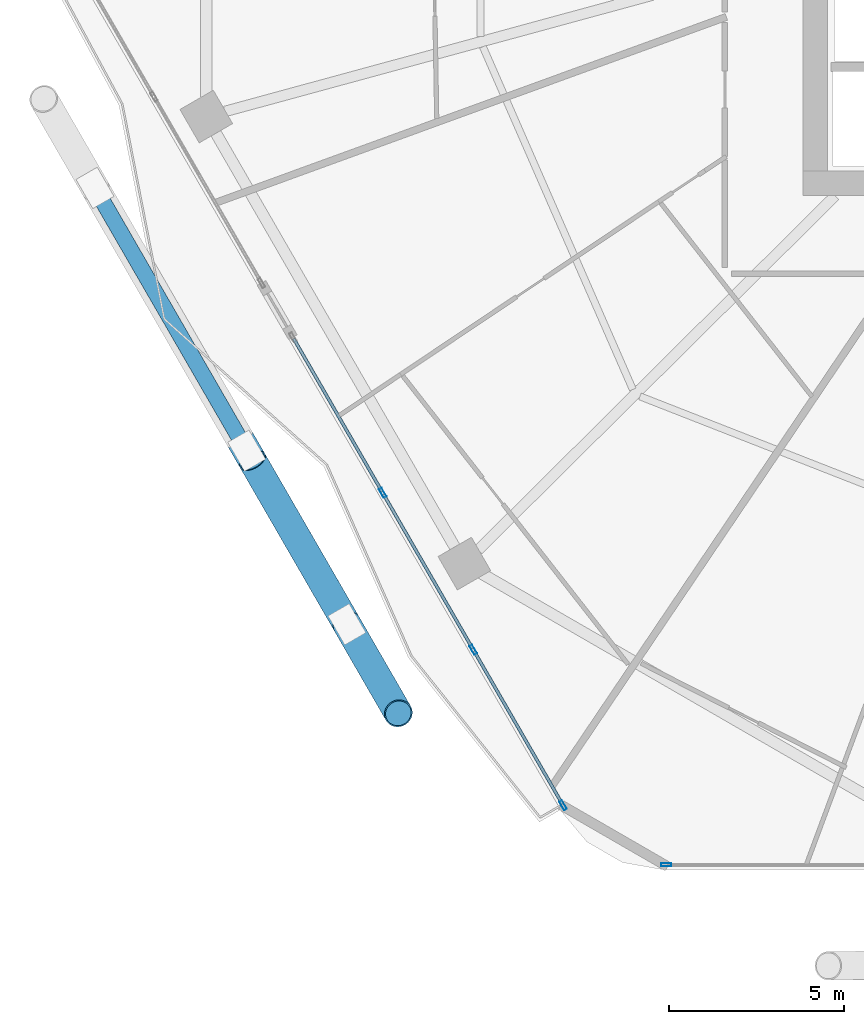
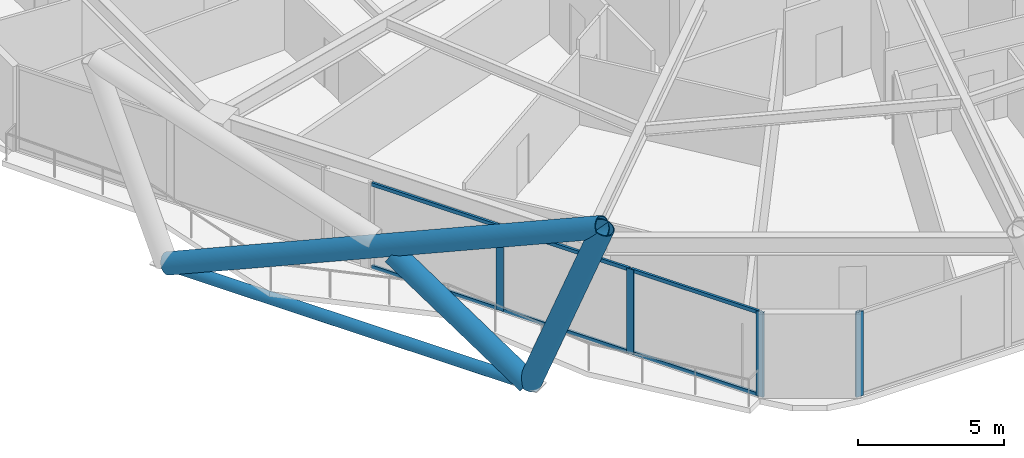
# One storey, part 2 of 34: 14 members, 2 elements without a shape of their own.
"""IFC4 building model written with IfcOpenShell, lengths in metres."""

from ifc_helpers import new_model, si_unit, direction, frame, origin, origin_2d, place, context, subcontext, project, spatial, hollow_rectangle, hollow_circle, extrude, material, material_profile, profile_set, type_object, element, aggregate, save


model = new_model("IFC4")

# Units and contexts
model_context = context("Model", 3, precision=1e-05, world=origin(), true_north=direction((0.0, 1.0)))
body_context = subcontext(model_context, "Body", "Model", "MODEL_VIEW")
ifc_project = project(units=[si_unit("LENGTHUNIT", "METRE"), si_unit("AREAUNIT", "SQUARE_METRE"), si_unit("VOLUMEUNIT", "CUBIC_METRE"), si_unit("PLANEANGLEUNIT", "RADIAN"), si_unit("MASSUNIT", "GRAM", prefix="KILO")], contexts=[model_context])

# Site, building, storey
site_placement = place(None, origin())
site = spatial("IfcSite", under=ifc_project, at=site_placement, CompositionType="ELEMENT")
building_placement = place(site_placement, origin())
building = spatial("IfcBuilding", under=site, at=building_placement, Name="Zuhravey Tower", CompositionType="ELEMENT")
storey_placement = place(building_placement, frame((0.0, 0.0, 100.0)))
storey = spatial("IfcBuildingStorey", under=building, at=storey_placement, Name="L24", CompositionType="ELEMENT", Elevation=100.0)

# Curtain wall, member
ifc_material_1 = material(Name="Thermally broken anodised aluminium", Category="aluminium")
curtain_wall_type = type_object("IfcCurtainWallType", Name="Zone 1-2 Residential Curtain Wall CW3", PredefinedType="NOTDEFINED", material=ifc_material_1)
curtain_wall_1_placement = place(storey_placement, origin())
curtain_wall_1 = element("IfcCurtainWall", 1, at=curtain_wall_1_placement, inside=storey, type_object=curtain_wall_type, Name="L24 CW3 CW-L24-F5-1", PredefinedType="NOTDEFINED")
ifc_material_2 = material(Name="Anodised aluminium", Category="aluminium")
ifc_material_profile_1 = material_profile(ifc_material_2, hollow_rectangle(XDim=0.090087890625, YDim=0.284912109375, WallThickness=0.0048828125, at=origin_2d()), Name="ALU-RHS-90x285x5")
ifc_profile_set_1 = profile_set([ifc_material_profile_1], Name="Anodised aluminium")
member_type_1 = type_object("IfcMemberType", Name="Curtain-Wall Mullion 90x180", PredefinedType="MULLION", material=ifc_profile_set_1)
member_1_placement = place(storey_placement, frame((21.24560546875, 3.04150390625, 0.0), z_axis=(0.0, 0.0, 1.0), x_axis=(0.0, -1.0, 0.0)))
member_1 = element("IfcMember", 2, at=member_1_placement, type_object=member_type_1, Name="CW3 mullion 6", PredefinedType="MULLION", context=body_context, shape_type="SweptSolid", body=[
    extrude(hollow_rectangle(XDim=0.090087890625, YDim=0.284912109375, WallThickness=0.0048828125, at=origin_2d()), origin(), (0.0, 0.0, 1.0), 3.550048828125),
])
aggregate(curtain_wall_1, [member_1])

# Curtain wall, members
curtain_wall_2_placement = place(storey_placement, origin())
curtain_wall_2 = element("IfcCurtainWall", 3, at=curtain_wall_2_placement, inside=storey, type_object=curtain_wall_type, Name="L24 CW3 CW-L24-F4-1", PredefinedType="NOTDEFINED")
member_2_placement = place(storey_placement, frame((18.298583984375, 4.742919921875, 0.0), z_axis=(0.0, 0.0, 1.0), x_axis=(-0.866025805934, -0.499999303456, 0.0)))
member_2 = element("IfcMember", 4, at=member_2_placement, type_object=member_type_1, Name="CW3 mullion 1", PredefinedType="MULLION", context=body_context, shape_type="SweptSolid", body=[
    extrude(hollow_rectangle(XDim=0.090087890625, YDim=0.284912109375, WallThickness=0.0048828125, at=origin_2d()), origin(), (0.0, 0.0, 1.0), 3.550048828125),
])
member_3_placement = place(storey_placement, frame((15.734619140625, 9.183837890625, 0.0), z_axis=(0.0, 0.0, 1.0), x_axis=(-0.866025805934, -0.499999303456, 0.0)))
member_3 = element("IfcMember", 5, at=member_3_placement, type_object=member_type_1, Name="CW3 mullion 2", PredefinedType="MULLION", context=body_context, shape_type="SweptSolid", body=[
    extrude(hollow_rectangle(XDim=0.090087890625, YDim=0.284912109375, WallThickness=0.0048828125, at=origin_2d()), origin(), (0.0, 0.0, 1.0), 3.550048828125),
])
member_4_placement = place(storey_placement, frame((13.14794921875, 13.663818359375, 0.0), z_axis=(0.0, 0.0, 1.0), x_axis=(-0.866025805934, -0.499999303456, 0.0)))
member_4 = element("IfcMember", 6, at=member_4_placement, type_object=member_type_1, Name="CW3 mullion 3", PredefinedType="MULLION", context=body_context, shape_type="SweptSolid", body=[
    extrude(hollow_rectangle(XDim=0.090087890625, YDim=0.284912109375, WallThickness=0.0048828125, at=origin_2d()), origin(), (0.0, 0.0, 1.0), 3.550048828125),
])
ifc_material_profile_2 = material_profile(ifc_material_2, hollow_rectangle(XDim=0.090087890625, YDim=0.14990234375, WallThickness=0.0048828125, at=origin_2d()), Name="ALU-RHS-90x150x5")
ifc_profile_set_2 = profile_set([ifc_material_profile_2], Name="Anodised aluminium")
member_type_2 = type_object("IfcMemberType", Name="Curtain-Wall Transom 90x150", PredefinedType="USERDEFINED", material=ifc_profile_set_2)
member_5_placement = place(storey_placement, frame((18.27587890625, 4.781982421875, 0.044921875), z_axis=(-0.499969954228, 0.866042750024, 0.0), x_axis=(-0.866042750024, -0.499969954228, 0.0)))
member_5 = element("IfcMember", 7, at=member_5_placement, type_object=member_type_2, Name="CW3 transom 1.1", ObjectType="TRANSOM", PredefinedType="USERDEFINED", context=body_context, shape_type="SweptSolid", body=[
    extrude(hollow_rectangle(XDim=0.090087890625, YDim=0.14990234375, WallThickness=0.0048828125, at=origin_2d()), origin(), (0.0, 0.0, 1.0), 5.037841796875),
])
member_6_placement = place(storey_placement, frame((18.27587890625, 4.781982421875, 3.5048828125), z_axis=(-0.499969954228, 0.866042750024, 0.0), x_axis=(-0.866042750024, -0.499969954228, 0.0)))
member_6 = element("IfcMember", 8, at=member_6_placement, type_object=member_type_2, Name="CW3 transom 1.2", ObjectType="TRANSOM", PredefinedType="USERDEFINED", context=body_context, shape_type="SweptSolid", body=[
    extrude(hollow_rectangle(XDim=0.090087890625, YDim=0.14990234375, WallThickness=0.0048828125, at=origin_2d()), origin(), (0.0, 0.0, 1.0), 5.037841796875),
])
member_7_placement = place(storey_placement, frame((15.7119140625, 9.222900390625, 0.044921875), z_axis=(-0.499977471539, 0.866038410207, 0.0), x_axis=(-0.866038410207, -0.499977471539, 0.0)))
member_7 = element("IfcMember", 9, at=member_7_placement, type_object=member_type_2, Name="CW3 transom 2.1", ObjectType="TRANSOM", PredefinedType="USERDEFINED", context=body_context, shape_type="SweptSolid", body=[
    extrude(hollow_rectangle(XDim=0.090087890625, YDim=0.14990234375, WallThickness=0.0048828125, at=origin_2d()), origin(), (0.0, 0.0, 1.0), 5.082763671875),
])
member_8_placement = place(storey_placement, frame((15.7119140625, 9.222900390625, 3.5048828125), z_axis=(-0.499977471539, 0.866038410207, 0.0), x_axis=(-0.866038410207, -0.499977471539, 0.0)))
member_8 = element("IfcMember", 10, at=member_8_placement, type_object=member_type_2, Name="CW3 transom 2.2", ObjectType="TRANSOM", PredefinedType="USERDEFINED", context=body_context, shape_type="SweptSolid", body=[
    extrude(hollow_rectangle(XDim=0.090087890625, YDim=0.14990234375, WallThickness=0.0048828125, at=origin_2d()), origin(), (0.0, 0.0, 1.0), 5.082763671875),
])
member_9_placement = place(storey_placement, frame((13.12548828125, 13.702880859375, 0.044921875), z_axis=(-0.499990938258, 0.866030635521, 0.0), x_axis=(-0.866030635521, -0.499990938258, 0.0)))
member_9 = element("IfcMember", 11, at=member_9_placement, type_object=member_type_2, Name="CW3 transom 3.1", ObjectType="TRANSOM", PredefinedType="USERDEFINED", context=body_context, shape_type="SweptSolid", body=[
    extrude(hollow_rectangle(XDim=0.090087890625, YDim=0.14990234375, WallThickness=0.0048828125, at=origin_2d()), origin(), (0.0, 0.0, 1.0), 5.03759765625),
])
member_10_placement = place(storey_placement, frame((13.12548828125, 13.702880859375, 3.5048828125), z_axis=(-0.499990938258, 0.866030635521, 0.0), x_axis=(-0.866030635521, -0.499990938258, 0.0)))
member_10 = element("IfcMember", 12, at=member_10_placement, type_object=member_type_2, Name="CW3 transom 3.2", ObjectType="TRANSOM", PredefinedType="USERDEFINED", context=body_context, shape_type="SweptSolid", body=[
    extrude(hollow_rectangle(XDim=0.090087890625, YDim=0.14990234375, WallThickness=0.0048828125, at=origin_2d()), origin(), (0.0, 0.0, 1.0), 5.03759765625),
])
aggregate(curtain_wall_2, [member_2, member_3, member_4, member_5, member_6, member_7, member_8, member_9, member_10])

# Members
ifc_material_3 = material(Name="Steel SM355", Category="steel")
ifc_material_profile_3 = material_profile(ifc_material_3, hollow_circle(Radius=0.228515625, WallThickness=0.02197265625, at=origin_2d()), Name="CHS-457.2x22")
ifc_profile_set_3 = profile_set([ifc_material_profile_3], Name="Steel SM355")
member_type_3 = type_object("IfcMemberType", Name="Exoskeleton Ring Tie CHS457x22", PredefinedType="CHORD", material=ifc_profile_set_3)
member_11_placement = place(storey_placement, frame((5.004150390625, 22.24951171875, -0.464111328125), z_axis=(0.499995593262, -0.866027948001, 0.0), x_axis=(0.866027948001, 0.499995593262, 0.0)))
element("IfcMember", 13, at=member_11_placement, inside=storey, type_object=member_type_3, Name="L24 Exoskeleton Face 4 Tie EXR1", PredefinedType="CHORD", context=body_context, shape_type="SweptSolid", body=[
    extrude(hollow_circle(Radius=0.228515625, WallThickness=0.02197265625, at=origin_2d()), origin(), (0.0, 0.0, 1.0), 14.107666015625),
])
ifc_material_4 = material(Name="Steel SM460", Category="steel")
ifc_material_profile_4 = material_profile(ifc_material_4, hollow_circle(Radius=0.406494140625, WallThickness=0.035888671875, at=origin_2d()), Name="CHS-812.8x36")
ifc_profile_set_4 = profile_set([ifc_material_profile_4], Name="Steel SM460")
member_type_4 = type_object("IfcMemberType", Name="Exoskeleton Zone 1 Diagrid CHS813x36", PredefinedType="BRACE", material=ifc_profile_set_4)
member_12_placement = place(storey_placement, frame((4.959228515625, 22.327392578125, -0.44189453125), z_axis=(0.457899571463, -0.793119897067, 0.401607782957), x_axis=(0.866029382339, 0.499993108878, 0.0)))
element("IfcMember", 14, at=member_12_placement, inside=storey, type_object=member_type_4, Name="L24 Face 4 Diagrid Brace 2", PredefinedType="BRACE", context=body_context, shape_type="SweptSolid", body=[
    extrude(hollow_circle(Radius=0.406494140625, WallThickness=0.035888671875, at=origin_2d()), origin(), (0.0, 0.0, 1.0), 18.814208984375),
])
member_13_placement = place(storey_placement, frame((12.132080078125, 9.9033203125, -0.44189453125), z_axis=(0.180574288521, -0.312728273078, 0.932520216158), x_axis=(0.866000778371, 0.500042650041, 0.0)))
element("IfcMember", 15, at=member_13_placement, inside=storey, type_object=member_type_4, Name="L24 Face 4 Diagrid Brace 4", PredefinedType="BRACE", context=body_context, shape_type="SweptSolid", body=[
    extrude(hollow_circle(Radius=0.406494140625, WallThickness=0.035888671875, at=origin_2d()), origin(), (0.0, 0.0, 1.0), 8.102783203125),
])
member_14_placement = place(storey_placement, frame((12.10498046875, 9.9501953125, -0.43359375), z_axis=(-0.416513083029, 0.721451330682, 0.553195109453), x_axis=(-0.866034259299, -0.499984661485, 0.0)))
element("IfcMember", 16, at=member_14_placement, inside=storey, type_object=member_type_4, Name="L24 Face 4 Split Diagrid Brace 3A", PredefinedType="BRACE", context=body_context, shape_type="SweptSolid", body=[
    extrude(hollow_circle(Radius=0.406494140625, WallThickness=0.035888671875, at=origin_2d()), origin(), (0.0, 0.0, 1.0), 6.417724609375),
])

save(model, "model.ifc")
